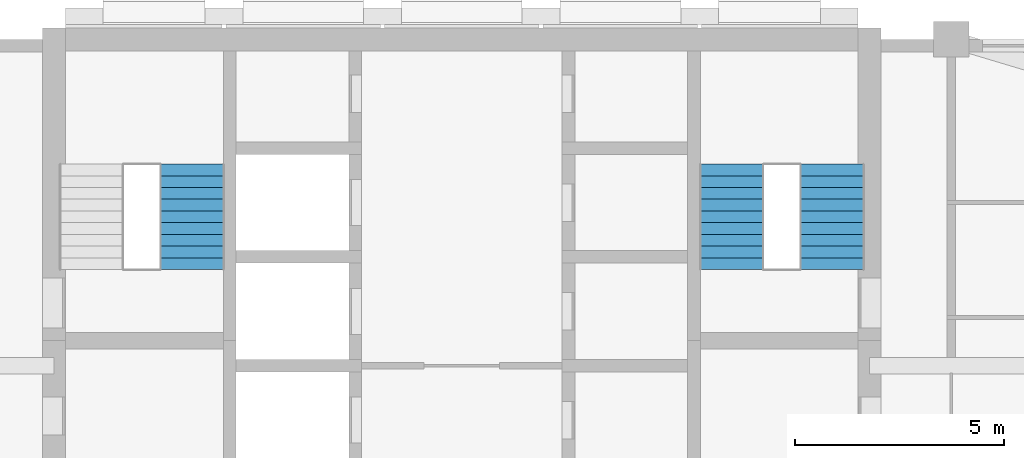
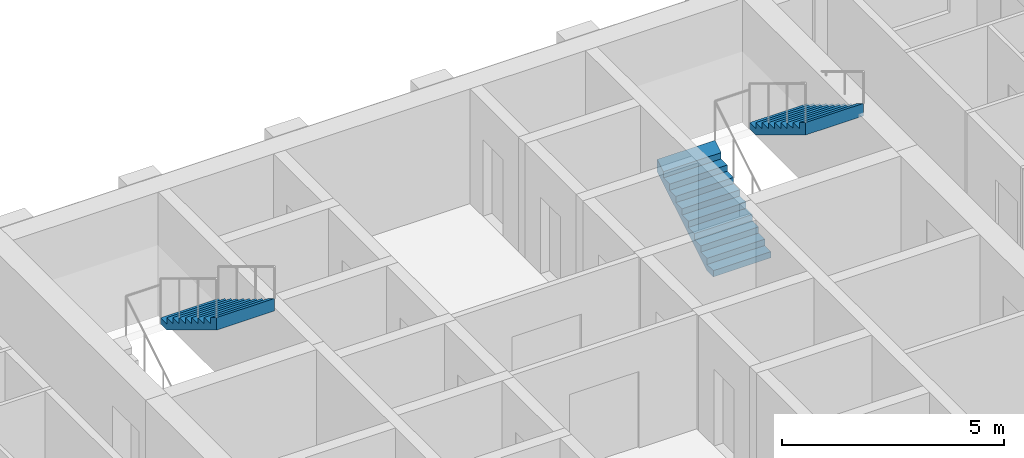
# One storey, part 12 of 14: 3 stair flights, 2 elements without a shape of their own.
"""IFC4 building model written with IfcOpenShell, lengths in metres."""

from ifc_helpers import new_model, si_unit, direction, frame, origin, place, context, subcontext, project, spatial, triangles, material, type_object, element, aggregate, save


model = new_model("IFC4")

# Units and contexts
model_context = context("Model", 3, precision=1e-05, world=origin(), true_north=direction((0.0, 1.0)))
body_context = subcontext(model_context, "Body", "Model", "MODEL_VIEW")
ifc_project = project(units=[si_unit("LENGTHUNIT", "METRE"), si_unit("AREAUNIT", "SQUARE_METRE"), si_unit("VOLUMEUNIT", "CUBIC_METRE"), si_unit("PLANEANGLEUNIT", "RADIAN"), si_unit("MASSUNIT", "GRAM", prefix="KILO")], contexts=[model_context])

# Site, building, storey
site_placement = place(None, origin())
site = spatial("IfcSite", under=ifc_project, at=site_placement, CompositionType="ELEMENT")
building_placement = place(site_placement, origin())
building = spatial("IfcBuilding", under=site, at=building_placement, Name="Ludao Terraces", CompositionType="ELEMENT")
storey_placement = place(building_placement, frame((0.0, 0.0, 106.699951171875)))
storey = spatial("IfcBuildingStorey", under=building, at=storey_placement, Name="L29", CompositionType="ELEMENT", Elevation=106.699951171875)

# Stair, stair flight
ifc_material = material(Name="Concrete C40", Category="concrete")
stair_type = type_object("IfcStairType", Name="INT Stair", PredefinedType="HALF_TURN_STAIR", material=ifc_material)
stair_1_placement = place(storey_placement, origin())
stair_1 = element("IfcStair", 1, at=stair_1_placement, inside=storey, type_object=stair_type, Name="EXIT STAIR 1", PredefinedType="HALF_TURN_STAIR")
stair_flight_type = type_object("IfcStairFlightType", Name="INT Stair flight", PredefinedType="STRAIGHT", material=ifc_material)
stair_flight_1_placement = place(storey_placement, frame((78.550048828125, 81.52001953125, 1.699951171875), z_axis=(0.0, 0.0, 1.0), x_axis=(0.0, -1.0, 0.0)))
stair_flight_1 = element("IfcStairFlight", 2, at=stair_flight_1_placement, type_object=stair_flight_type, Name="ST1 flight 2", NumberOfRisers=10, NumberOfTreads=9, PredefinedType="STRAIGHT", RiserHeight=0.17, TreadLength=0.28, context=body_context, shape_type="Tessellation", body=[
    triangles([(0.0, -0.75, 0.0), (0.0, -0.5, 0.0), (0.0, -0.25, 0.0), (0.0, 0.0, 0.0), (0.0, 0.25, 0.0), (0.0, 0.5, 0.0), (0.0, 0.75, 0.0), (0.0, -0.75, 0.169921875), (0.0, -0.5, 0.169921875), (0.0, -0.25, 0.169921875), (0.0, 0.0, 0.169921875), (0.0, 0.25, 0.169921875), (0.0, 0.5, 0.169921875), (0.0, 0.75, 0.169921875), (0.280029296875, -0.75, 0.169921875), (0.280029296875, -0.5, 0.169921875), (0.280029296875, -0.25, 0.169921875), (0.280029296875, 0.0, 0.169921875), (0.280029296875, 0.25, 0.169921875), (0.280029296875, 0.5, 0.169921875), (0.280029296875, 0.75, 0.169921875), (0.280029296875, -0.75, 0.340087890625), (0.280029296875, -0.5, 0.340087890625), (0.280029296875, -0.25, 0.340087890625), (0.280029296875, 0.0, 0.340087890625), (0.280029296875, 0.25, 0.340087890625), (0.280029296875, 0.5, 0.340087890625), (0.280029296875, 0.75, 0.340087890625), (0.56005859375, -0.75, 0.340087890625), (0.56005859375, -0.5, 0.340087890625), (0.56005859375, -0.25, 0.340087890625), (0.56005859375, 0.0, 0.340087890625), (0.56005859375, 0.25, 0.340087890625), (0.56005859375, 0.5, 0.340087890625), (0.56005859375, 0.75, 0.340087890625), (0.56005859375, -0.75, 0.510009765625), (0.56005859375, -0.5, 0.510009765625), (0.56005859375, -0.25, 0.510009765625), (0.56005859375, 0.0, 0.510009765625), (0.56005859375, 0.25, 0.510009765625), (0.56005859375, 0.5, 0.510009765625), (0.56005859375, 0.75, 0.510009765625), (0.840087890625, -0.75, 0.510009765625), (0.840087890625, -0.5, 0.510009765625), (0.840087890625, -0.25, 0.510009765625), (0.840087890625, 0.0, 0.510009765625), (0.840087890625, 0.25, 0.510009765625), (0.840087890625, 0.5, 0.510009765625), (0.840087890625, 0.75, 0.510009765625), (0.840087890625, -0.75, 0.679931640625), (0.840087890625, -0.5, 0.679931640625), (0.840087890625, -0.25, 0.679931640625), (0.840087890625, 0.0, 0.679931640625), (0.840087890625, 0.25, 0.679931640625), (0.840087890625, 0.5, 0.679931640625), (0.840087890625, 0.75, 0.679931640625), (1.1201171875, -0.75, 0.679931640625), (1.1201171875, -0.5, 0.679931640625), (1.1201171875, -0.25, 0.679931640625), (1.1201171875, 0.0, 0.679931640625), (1.1201171875, 0.25, 0.679931640625), (1.1201171875, 0.5, 0.679931640625), (1.1201171875, 0.75, 0.679931640625), (1.1201171875, -0.75, 0.85009765625), (1.1201171875, -0.5, 0.85009765625), (1.1201171875, -0.25, 0.85009765625), (1.1201171875, 0.0, 0.85009765625), (1.1201171875, 0.25, 0.85009765625), (1.1201171875, 0.5, 0.85009765625), (1.1201171875, 0.75, 0.85009765625), (1.39990234375, -0.75, 0.85009765625), (1.39990234375, -0.5, 0.85009765625), (1.39990234375, -0.25, 0.85009765625), (1.39990234375, 0.0, 0.85009765625), (1.39990234375, 0.25, 0.85009765625), (1.39990234375, 0.5, 0.85009765625), (1.39990234375, 0.75, 0.85009765625), (1.39990234375, -0.75, 1.02001953125), (1.39990234375, -0.5, 1.02001953125), (1.39990234375, -0.25, 1.02001953125), (1.39990234375, 0.0, 1.02001953125), (1.39990234375, 0.25, 1.02001953125), (1.39990234375, 0.5, 1.02001953125), (1.39990234375, 0.75, 1.02001953125), (1.679931640625, -0.75, 1.02001953125), (1.679931640625, -0.5, 1.02001953125), (1.679931640625, -0.25, 1.02001953125), (1.679931640625, 0.0, 1.02001953125), (1.679931640625, 0.25, 1.02001953125), (1.679931640625, 0.5, 1.02001953125), (1.679931640625, 0.75, 1.02001953125), (1.679931640625, -0.75, 1.18994140625), (1.679931640625, -0.5, 1.18994140625), (1.679931640625, -0.25, 1.18994140625), (1.679931640625, 0.0, 1.18994140625), (1.679931640625, 0.25, 1.18994140625), (1.679931640625, 0.5, 1.18994140625), (1.679931640625, 0.75, 1.18994140625), (1.9599609375, -0.75, 1.18994140625), (1.9599609375, -0.5, 1.18994140625), (1.9599609375, -0.25, 1.18994140625), (1.9599609375, 0.0, 1.18994140625), (1.9599609375, 0.25, 1.18994140625), (1.9599609375, 0.5, 1.18994140625), (1.9599609375, 0.75, 1.18994140625), (1.9599609375, -0.75, 1.360107421875), (1.9599609375, -0.5, 1.360107421875), (1.9599609375, -0.25, 1.360107421875), (1.9599609375, 0.0, 1.360107421875), (1.9599609375, 0.25, 1.360107421875), (1.9599609375, 0.5, 1.360107421875), (1.9599609375, 0.75, 1.360107421875), (2.239990234375, -0.75, 1.360107421875), (2.239990234375, -0.5, 1.360107421875), (2.239990234375, -0.25, 1.360107421875), (2.239990234375, 0.0, 1.360107421875), (2.239990234375, 0.25, 1.360107421875), (2.239990234375, 0.5, 1.360107421875), (2.239990234375, 0.75, 1.360107421875), (2.239990234375, -0.75, 1.530029296875), (2.239990234375, -0.5, 1.530029296875), (2.239990234375, -0.25, 1.530029296875), (2.239990234375, 0.0, 1.530029296875), (2.239990234375, 0.25, 1.530029296875), (2.239990234375, 0.5, 1.530029296875), (2.239990234375, 0.75, 1.530029296875), (2.52001953125, -0.75, 1.699951171875), (2.52001953125, -0.5, 1.699951171875), (2.52001953125, -0.25, 1.699951171875), (2.52001953125, 0.0, 1.699951171875), (2.52001953125, 0.25, 1.699951171875), (2.52001953125, 0.5, 1.699951171875), (2.52001953125, 0.75, 1.699951171875), (2.52001953125, -0.75, 1.354736328125), (2.52001953125, -0.5, 1.354736328125), (2.52001953125, -0.25, 1.354736328125), (2.52001953125, 0.0, 1.354736328125), (2.52001953125, 0.25, 1.354736328125), (2.52001953125, 0.5, 1.354736328125), (2.52001953125, 0.75, 1.354736328125), (0.288818359375, -0.75, 0.0), (0.288818359375, -0.5, 0.0), (0.288818359375, -0.25, 0.0), (0.288818359375, 0.0, 0.0), (0.288818359375, 0.25, 0.0), (0.288818359375, 0.5, 0.0), (0.288818359375, 0.75, 0.0)], [[1, 141, 134], [7, 140, 147], [134, 127, 120], [140, 126, 133], [134, 120, 113], [140, 119, 126], [134, 113, 106], [140, 112, 119], [134, 106, 99], [140, 105, 112], [99, 92, 85], [105, 91, 98], [134, 99, 85], [140, 91, 105], [85, 78, 71], [91, 77, 84], [134, 85, 71], [140, 77, 91], [71, 64, 57], [77, 63, 70], [134, 71, 57], [140, 63, 77], [57, 50, 43], [63, 49, 56], [134, 57, 43], [140, 49, 63], [43, 36, 29], [49, 35, 42], [134, 43, 29], [140, 35, 49], [29, 22, 15], [35, 21, 28], [134, 29, 15], [140, 21, 35], [1, 134, 15], [7, 21, 140], [15, 8, 1], [21, 7, 14], [1, 9, 2], [1, 8, 9], [2, 10, 3], [2, 9, 10], [3, 11, 4], [3, 10, 11], [4, 12, 5], [4, 11, 12], [5, 13, 6], [5, 12, 13], [6, 14, 7], [6, 13, 14], [8, 16, 9], [8, 15, 16], [9, 17, 10], [9, 16, 17], [10, 18, 11], [10, 17, 18], [11, 19, 12], [11, 18, 19], [12, 20, 13], [12, 19, 20], [13, 21, 14], [13, 20, 21], [15, 23, 16], [15, 22, 23], [16, 24, 17], [16, 23, 24], [17, 25, 18], [17, 24, 25], [18, 26, 19], [18, 25, 26], [19, 27, 20], [19, 26, 27], [20, 28, 21], [20, 27, 28], [22, 30, 23], [22, 29, 30], [23, 31, 24], [23, 30, 31], [24, 32, 25], [24, 31, 32], [25, 33, 26], [25, 32, 33], [26, 34, 27], [26, 33, 34], [27, 35, 28], [27, 34, 35], [29, 37, 30], [29, 36, 37], [30, 38, 31], [30, 37, 38], [31, 39, 32], [31, 38, 39], [32, 40, 33], [32, 39, 40], [33, 41, 34], [33, 40, 41], [34, 42, 35], [34, 41, 42], [36, 44, 37], [36, 43, 44], [37, 45, 38], [37, 44, 45], [38, 46, 39], [38, 45, 46], [39, 47, 40], [39, 46, 47], [40, 48, 41], [40, 47, 48], [41, 49, 42], [41, 48, 49], [43, 51, 44], [43, 50, 51], [44, 52, 45], [44, 51, 52], [45, 53, 46], [45, 52, 53], [46, 54, 47], [46, 53, 54], [47, 55, 48], [47, 54, 55], [48, 56, 49], [48, 55, 56], [50, 58, 51], [50, 57, 58], [51, 59, 52], [51, 58, 59], [52, 60, 53], [52, 59, 60], [53, 61, 54], [53, 60, 61], [54, 62, 55], [54, 61, 62], [55, 63, 56], [55, 62, 63], [57, 65, 58], [57, 64, 65], [58, 66, 59], [58, 65, 66], [59, 67, 60], [59, 66, 67], [60, 68, 61], [60, 67, 68], [61, 69, 62], [61, 68, 69], [62, 70, 63], [62, 69, 70], [64, 72, 65], [64, 71, 72], [65, 73, 66], [65, 72, 73], [66, 74, 67], [66, 73, 74], [67, 75, 68], [67, 74, 75], [68, 76, 69], [68, 75, 76], [69, 77, 70], [69, 76, 77], [71, 79, 72], [71, 78, 79], [72, 80, 73], [72, 79, 80], [73, 81, 74], [73, 80, 81], [74, 82, 75], [74, 81, 82], [75, 83, 76], [75, 82, 83], [76, 84, 77], [76, 83, 84], [78, 86, 79], [78, 85, 86], [79, 87, 80], [79, 86, 87], [80, 88, 81], [80, 87, 88], [81, 89, 82], [81, 88, 89], [82, 90, 83], [82, 89, 90], [83, 91, 84], [83, 90, 91], [85, 93, 86], [85, 92, 93], [86, 94, 87], [86, 93, 94], [87, 95, 88], [87, 94, 95], [88, 96, 89], [88, 95, 96], [89, 97, 90], [89, 96, 97], [90, 98, 91], [90, 97, 98], [92, 100, 93], [92, 99, 100], [93, 101, 94], [93, 100, 101], [94, 102, 95], [94, 101, 102], [95, 103, 96], [95, 102, 103], [96, 104, 97], [96, 103, 104], [97, 105, 98], [97, 104, 105], [99, 107, 100], [99, 106, 107], [100, 108, 101], [100, 107, 108], [101, 109, 102], [101, 108, 109], [102, 110, 103], [102, 109, 110], [103, 111, 104], [103, 110, 111], [104, 112, 105], [104, 111, 112], [106, 114, 107], [106, 113, 114], [107, 115, 108], [107, 114, 115], [108, 116, 109], [108, 115, 116], [109, 117, 110], [109, 116, 117], [110, 118, 111], [110, 117, 118], [111, 119, 112], [111, 118, 119], [113, 121, 114], [113, 120, 121], [114, 122, 115], [114, 121, 122], [115, 123, 116], [115, 122, 123], [116, 124, 117], [116, 123, 124], [117, 125, 118], [117, 124, 125], [118, 126, 119], [118, 125, 126], [120, 128, 121], [120, 127, 128], [121, 129, 122], [121, 128, 129], [122, 130, 123], [122, 129, 130], [123, 131, 124], [123, 130, 131], [124, 132, 125], [124, 131, 132], [125, 133, 126], [125, 132, 133], [127, 135, 128], [127, 134, 135], [128, 136, 129], [128, 135, 136], [129, 137, 130], [129, 136, 137], [130, 138, 131], [130, 137, 138], [131, 139, 132], [131, 138, 139], [132, 140, 133], [132, 139, 140], [134, 142, 135], [134, 141, 142], [135, 143, 136], [135, 142, 143], [136, 144, 137], [136, 143, 144], [137, 145, 138], [137, 144, 145], [138, 146, 139], [138, 145, 146], [139, 147, 140], [139, 146, 147], [141, 2, 142], [141, 1, 2], [142, 3, 143], [142, 2, 3], [143, 4, 144], [143, 3, 4], [144, 5, 145], [144, 4, 5], [145, 6, 146], [145, 5, 6], [146, 7, 147], [146, 6, 7]], closed=True),
])
aggregate(stair_1, [stair_flight_1])

# Stair, stair flights
stair_2_placement = place(storey_placement, origin())
stair_2 = element("IfcStair", 3, at=stair_2_placement, inside=storey, type_object=stair_type, Name="EXIT STAIR 2", PredefinedType="HALF_TURN_STAIR")
stair_flight_2_placement = place(storey_placement, frame((91.449951171875, 79.0, 0.0), z_axis=(0.0, 0.0, 1.0), x_axis=(0.0, 1.0, 0.0)))
stair_flight_2 = element("IfcStairFlight", 4, at=stair_flight_2_placement, type_object=stair_flight_type, Name="ST2 flight 1", NumberOfRisers=10, NumberOfTreads=9, PredefinedType="STRAIGHT", RiserHeight=0.17, TreadLength=0.28, context=body_context, shape_type="Tessellation", body=[
    triangles([(0.0, -0.75, 0.0), (0.0, -0.5, 0.0), (0.0, -0.25, 0.0), (0.0, 0.0, 0.0), (0.0, 0.25, 0.0), (0.0, 0.5, 0.0), (0.0, 0.75, 0.0), (0.0, -0.75, 0.169921875), (0.0, -0.5, 0.169921875), (0.0, -0.25, 0.169921875), (0.0, 0.0, 0.169921875), (0.0, 0.25, 0.169921875), (0.0, 0.5, 0.169921875), (0.0, 0.75, 0.169921875), (0.280029296875, -0.75, 0.169921875), (0.280029296875, -0.5, 0.169921875), (0.280029296875, -0.25, 0.169921875), (0.280029296875, 0.0, 0.169921875), (0.280029296875, 0.25, 0.169921875), (0.280029296875, 0.5, 0.169921875), (0.280029296875, 0.75, 0.169921875), (0.280029296875, -0.75, 0.340087890625), (0.280029296875, -0.5, 0.340087890625), (0.280029296875, -0.25, 0.340087890625), (0.280029296875, 0.0, 0.340087890625), (0.280029296875, 0.25, 0.340087890625), (0.280029296875, 0.5, 0.340087890625), (0.280029296875, 0.75, 0.340087890625), (0.56005859375, -0.75, 0.340087890625), (0.56005859375, -0.5, 0.340087890625), (0.56005859375, -0.25, 0.340087890625), (0.56005859375, 0.0, 0.340087890625), (0.56005859375, 0.25, 0.340087890625), (0.56005859375, 0.5, 0.340087890625), (0.56005859375, 0.75, 0.340087890625), (0.56005859375, -0.75, 0.510009765625), (0.56005859375, -0.5, 0.510009765625), (0.56005859375, -0.25, 0.510009765625), (0.56005859375, 0.0, 0.510009765625), (0.56005859375, 0.25, 0.510009765625), (0.56005859375, 0.5, 0.510009765625), (0.56005859375, 0.75, 0.510009765625), (0.840087890625, -0.75, 0.510009765625), (0.840087890625, -0.5, 0.510009765625), (0.840087890625, -0.25, 0.510009765625), (0.840087890625, 0.0, 0.510009765625), (0.840087890625, 0.25, 0.510009765625), (0.840087890625, 0.5, 0.510009765625), (0.840087890625, 0.75, 0.510009765625), (0.840087890625, -0.75, 0.679931640625), (0.840087890625, -0.5, 0.679931640625), (0.840087890625, -0.25, 0.679931640625), (0.840087890625, 0.0, 0.679931640625), (0.840087890625, 0.25, 0.679931640625), (0.840087890625, 0.5, 0.679931640625), (0.840087890625, 0.75, 0.679931640625), (1.1201171875, -0.75, 0.679931640625), (1.1201171875, -0.5, 0.679931640625), (1.1201171875, -0.25, 0.679931640625), (1.1201171875, 0.0, 0.679931640625), (1.1201171875, 0.25, 0.679931640625), (1.1201171875, 0.5, 0.679931640625), (1.1201171875, 0.75, 0.679931640625), (1.1201171875, -0.75, 0.85009765625), (1.1201171875, -0.5, 0.85009765625), (1.1201171875, -0.25, 0.85009765625), (1.1201171875, 0.0, 0.85009765625), (1.1201171875, 0.25, 0.85009765625), (1.1201171875, 0.5, 0.85009765625), (1.1201171875, 0.75, 0.85009765625), (1.39990234375, -0.75, 0.85009765625), (1.39990234375, -0.5, 0.85009765625), (1.39990234375, -0.25, 0.85009765625), (1.39990234375, 0.0, 0.85009765625), (1.39990234375, 0.25, 0.85009765625), (1.39990234375, 0.5, 0.85009765625), (1.39990234375, 0.75, 0.85009765625), (1.39990234375, -0.75, 1.02001953125), (1.39990234375, -0.5, 1.02001953125), (1.39990234375, -0.25, 1.02001953125), (1.39990234375, 0.0, 1.02001953125), (1.39990234375, 0.25, 1.02001953125), (1.39990234375, 0.5, 1.02001953125), (1.39990234375, 0.75, 1.02001953125), (1.679931640625, -0.75, 1.02001953125), (1.679931640625, -0.5, 1.02001953125), (1.679931640625, -0.25, 1.02001953125), (1.679931640625, 0.0, 1.02001953125), (1.679931640625, 0.25, 1.02001953125), (1.679931640625, 0.5, 1.02001953125), (1.679931640625, 0.75, 1.02001953125), (1.679931640625, -0.75, 1.18994140625), (1.679931640625, -0.5, 1.18994140625), (1.679931640625, -0.25, 1.18994140625), (1.679931640625, 0.0, 1.18994140625), (1.679931640625, 0.25, 1.18994140625), (1.679931640625, 0.5, 1.18994140625), (1.679931640625, 0.75, 1.18994140625), (1.9599609375, -0.75, 1.18994140625), (1.9599609375, -0.5, 1.18994140625), (1.9599609375, -0.25, 1.18994140625), (1.9599609375, 0.0, 1.18994140625), (1.9599609375, 0.25, 1.18994140625), (1.9599609375, 0.5, 1.18994140625), (1.9599609375, 0.75, 1.18994140625), (1.9599609375, -0.75, 1.360107421875), (1.9599609375, -0.5, 1.360107421875), (1.9599609375, -0.25, 1.360107421875), (1.9599609375, 0.0, 1.360107421875), (1.9599609375, 0.25, 1.360107421875), (1.9599609375, 0.5, 1.360107421875), (1.9599609375, 0.75, 1.360107421875), (2.239990234375, -0.75, 1.360107421875), (2.239990234375, -0.5, 1.360107421875), (2.239990234375, -0.25, 1.360107421875), (2.239990234375, 0.0, 1.360107421875), (2.239990234375, 0.25, 1.360107421875), (2.239990234375, 0.5, 1.360107421875), (2.239990234375, 0.75, 1.360107421875), (2.239990234375, -0.75, 1.530029296875), (2.239990234375, -0.5, 1.530029296875), (2.239990234375, -0.25, 1.530029296875), (2.239990234375, 0.0, 1.530029296875), (2.239990234375, 0.25, 1.530029296875), (2.239990234375, 0.5, 1.530029296875), (2.239990234375, 0.75, 1.530029296875), (2.52001953125, -0.75, 1.699951171875), (2.52001953125, -0.5, 1.699951171875), (2.52001953125, -0.25, 1.699951171875), (2.52001953125, 0.0, 1.699951171875), (2.52001953125, 0.25, 1.699951171875), (2.52001953125, 0.5, 1.699951171875), (2.52001953125, 0.75, 1.699951171875), (2.52001953125, -0.75, 1.354736328125), (2.52001953125, -0.5, 1.354736328125), (2.52001953125, -0.25, 1.354736328125), (2.52001953125, 0.0, 1.354736328125), (2.52001953125, 0.25, 1.354736328125), (2.52001953125, 0.5, 1.354736328125), (2.52001953125, 0.75, 1.354736328125), (0.288818359375, -0.75, 0.0), (0.288818359375, -0.5, 0.0), (0.288818359375, -0.25, 0.0), (0.288818359375, 0.0, 0.0), (0.288818359375, 0.25, 0.0), (0.288818359375, 0.5, 0.0), (0.288818359375, 0.75, 0.0)], [[1, 141, 134], [7, 140, 147], [134, 127, 120], [140, 126, 133], [134, 120, 113], [140, 119, 126], [134, 113, 106], [140, 112, 119], [134, 106, 99], [140, 105, 112], [99, 92, 85], [105, 91, 98], [134, 99, 85], [140, 91, 105], [85, 78, 71], [91, 77, 84], [134, 85, 71], [140, 77, 91], [71, 64, 57], [77, 63, 70], [134, 71, 57], [140, 63, 77], [57, 50, 43], [63, 49, 56], [134, 57, 43], [140, 49, 63], [43, 36, 29], [49, 35, 42], [134, 43, 29], [140, 35, 49], [29, 22, 15], [35, 21, 28], [134, 29, 15], [140, 21, 35], [1, 134, 15], [7, 21, 140], [15, 8, 1], [21, 7, 14], [1, 9, 2], [1, 8, 9], [2, 10, 3], [2, 9, 10], [3, 11, 4], [3, 10, 11], [4, 12, 5], [4, 11, 12], [5, 13, 6], [5, 12, 13], [6, 14, 7], [6, 13, 14], [8, 16, 9], [8, 15, 16], [9, 17, 10], [9, 16, 17], [10, 18, 11], [10, 17, 18], [11, 19, 12], [11, 18, 19], [12, 20, 13], [12, 19, 20], [13, 21, 14], [13, 20, 21], [15, 23, 16], [15, 22, 23], [16, 24, 17], [16, 23, 24], [17, 25, 18], [17, 24, 25], [18, 26, 19], [18, 25, 26], [19, 27, 20], [19, 26, 27], [20, 28, 21], [20, 27, 28], [22, 30, 23], [22, 29, 30], [23, 31, 24], [23, 30, 31], [24, 32, 25], [24, 31, 32], [25, 33, 26], [25, 32, 33], [26, 34, 27], [26, 33, 34], [27, 35, 28], [27, 34, 35], [29, 37, 30], [29, 36, 37], [30, 38, 31], [30, 37, 38], [31, 39, 32], [31, 38, 39], [32, 40, 33], [32, 39, 40], [33, 41, 34], [33, 40, 41], [34, 42, 35], [34, 41, 42], [36, 44, 37], [36, 43, 44], [37, 45, 38], [37, 44, 45], [38, 46, 39], [38, 45, 46], [39, 47, 40], [39, 46, 47], [40, 48, 41], [40, 47, 48], [41, 49, 42], [41, 48, 49], [43, 51, 44], [43, 50, 51], [44, 52, 45], [44, 51, 52], [45, 53, 46], [45, 52, 53], [46, 54, 47], [46, 53, 54], [47, 55, 48], [47, 54, 55], [48, 56, 49], [48, 55, 56], [50, 58, 51], [50, 57, 58], [51, 59, 52], [51, 58, 59], [52, 60, 53], [52, 59, 60], [53, 61, 54], [53, 60, 61], [54, 62, 55], [54, 61, 62], [55, 63, 56], [55, 62, 63], [57, 65, 58], [57, 64, 65], [58, 66, 59], [58, 65, 66], [59, 67, 60], [59, 66, 67], [60, 68, 61], [60, 67, 68], [61, 69, 62], [61, 68, 69], [62, 70, 63], [62, 69, 70], [64, 72, 65], [64, 71, 72], [65, 73, 66], [65, 72, 73], [66, 74, 67], [66, 73, 74], [67, 75, 68], [67, 74, 75], [68, 76, 69], [68, 75, 76], [69, 77, 70], [69, 76, 77], [71, 79, 72], [71, 78, 79], [72, 80, 73], [72, 79, 80], [73, 81, 74], [73, 80, 81], [74, 82, 75], [74, 81, 82], [75, 83, 76], [75, 82, 83], [76, 84, 77], [76, 83, 84], [78, 86, 79], [78, 85, 86], [79, 87, 80], [79, 86, 87], [80, 88, 81], [80, 87, 88], [81, 89, 82], [81, 88, 89], [82, 90, 83], [82, 89, 90], [83, 91, 84], [83, 90, 91], [85, 93, 86], [85, 92, 93], [86, 94, 87], [86, 93, 94], [87, 95, 88], [87, 94, 95], [88, 96, 89], [88, 95, 96], [89, 97, 90], [89, 96, 97], [90, 98, 91], [90, 97, 98], [92, 100, 93], [92, 99, 100], [93, 101, 94], [93, 100, 101], [94, 102, 95], [94, 101, 102], [95, 103, 96], [95, 102, 103], [96, 104, 97], [96, 103, 104], [97, 105, 98], [97, 104, 105], [99, 107, 100], [99, 106, 107], [100, 108, 101], [100, 107, 108], [101, 109, 102], [101, 108, 109], [102, 110, 103], [102, 109, 110], [103, 111, 104], [103, 110, 111], [104, 112, 105], [104, 111, 112], [106, 114, 107], [106, 113, 114], [107, 115, 108], [107, 114, 115], [108, 116, 109], [108, 115, 116], [109, 117, 110], [109, 116, 117], [110, 118, 111], [110, 117, 118], [111, 119, 112], [111, 118, 119], [113, 121, 114], [113, 120, 121], [114, 122, 115], [114, 121, 122], [115, 123, 116], [115, 122, 123], [116, 124, 117], [116, 123, 124], [117, 125, 118], [117, 124, 125], [118, 126, 119], [118, 125, 126], [120, 128, 121], [120, 127, 128], [121, 129, 122], [121, 128, 129], [122, 130, 123], [122, 129, 130], [123, 131, 124], [123, 130, 131], [124, 132, 125], [124, 131, 132], [125, 133, 126], [125, 132, 133], [127, 135, 128], [127, 134, 135], [128, 136, 129], [128, 135, 136], [129, 137, 130], [129, 136, 137], [130, 138, 131], [130, 137, 138], [131, 139, 132], [131, 138, 139], [132, 140, 133], [132, 139, 140], [134, 142, 135], [134, 141, 142], [135, 143, 136], [135, 142, 143], [136, 144, 137], [136, 143, 144], [137, 145, 138], [137, 144, 145], [138, 146, 139], [138, 145, 146], [139, 147, 140], [139, 146, 147], [141, 2, 142], [141, 1, 2], [142, 3, 143], [142, 2, 3], [143, 4, 144], [143, 3, 4], [144, 5, 145], [144, 4, 5], [145, 6, 146], [145, 5, 6], [146, 7, 147], [146, 6, 7]], closed=True),
])
stair_flight_3_placement = place(storey_placement, frame((93.85009765625, 81.52001953125, 1.699951171875), z_axis=(0.0, 0.0, 1.0), x_axis=(0.0, -1.0, 0.0)))
stair_flight_3 = element("IfcStairFlight", 5, at=stair_flight_3_placement, type_object=stair_flight_type, Name="ST2 flight 2", NumberOfRisers=10, NumberOfTreads=9, PredefinedType="STRAIGHT", RiserHeight=0.17, TreadLength=0.28, context=body_context, shape_type="Tessellation", body=[
    triangles([(0.0, -0.75, 0.0), (0.0, -0.5, 0.0), (0.0, -0.25, 0.0), (0.0, 0.0, 0.0), (0.0, 0.25, 0.0), (0.0, 0.5, 0.0), (0.0, 0.75, 0.0), (0.0, -0.75, 0.169921875), (0.0, -0.5, 0.169921875), (0.0, -0.25, 0.169921875), (0.0, 0.0, 0.169921875), (0.0, 0.25, 0.169921875), (0.0, 0.5, 0.169921875), (0.0, 0.75, 0.169921875), (0.280029296875, -0.75, 0.169921875), (0.280029296875, -0.5, 0.169921875), (0.280029296875, -0.25, 0.169921875), (0.280029296875, 0.0, 0.169921875), (0.280029296875, 0.25, 0.169921875), (0.280029296875, 0.5, 0.169921875), (0.280029296875, 0.75, 0.169921875), (0.280029296875, -0.75, 0.340087890625), (0.280029296875, -0.5, 0.340087890625), (0.280029296875, -0.25, 0.340087890625), (0.280029296875, 0.0, 0.340087890625), (0.280029296875, 0.25, 0.340087890625), (0.280029296875, 0.5, 0.340087890625), (0.280029296875, 0.75, 0.340087890625), (0.56005859375, -0.75, 0.340087890625), (0.56005859375, -0.5, 0.340087890625), (0.56005859375, -0.25, 0.340087890625), (0.56005859375, 0.0, 0.340087890625), (0.56005859375, 0.25, 0.340087890625), (0.56005859375, 0.5, 0.340087890625), (0.56005859375, 0.75, 0.340087890625), (0.56005859375, -0.75, 0.510009765625), (0.56005859375, -0.5, 0.510009765625), (0.56005859375, -0.25, 0.510009765625), (0.56005859375, 0.0, 0.510009765625), (0.56005859375, 0.25, 0.510009765625), (0.56005859375, 0.5, 0.510009765625), (0.56005859375, 0.75, 0.510009765625), (0.840087890625, -0.75, 0.510009765625), (0.840087890625, -0.5, 0.510009765625), (0.840087890625, -0.25, 0.510009765625), (0.840087890625, 0.0, 0.510009765625), (0.840087890625, 0.25, 0.510009765625), (0.840087890625, 0.5, 0.510009765625), (0.840087890625, 0.75, 0.510009765625), (0.840087890625, -0.75, 0.679931640625), (0.840087890625, -0.5, 0.679931640625), (0.840087890625, -0.25, 0.679931640625), (0.840087890625, 0.0, 0.679931640625), (0.840087890625, 0.25, 0.679931640625), (0.840087890625, 0.5, 0.679931640625), (0.840087890625, 0.75, 0.679931640625), (1.1201171875, -0.75, 0.679931640625), (1.1201171875, -0.5, 0.679931640625), (1.1201171875, -0.25, 0.679931640625), (1.1201171875, 0.0, 0.679931640625), (1.1201171875, 0.25, 0.679931640625), (1.1201171875, 0.5, 0.679931640625), (1.1201171875, 0.75, 0.679931640625), (1.1201171875, -0.75, 0.85009765625), (1.1201171875, -0.5, 0.85009765625), (1.1201171875, -0.25, 0.85009765625), (1.1201171875, 0.0, 0.85009765625), (1.1201171875, 0.25, 0.85009765625), (1.1201171875, 0.5, 0.85009765625), (1.1201171875, 0.75, 0.85009765625), (1.39990234375, -0.75, 0.85009765625), (1.39990234375, -0.5, 0.85009765625), (1.39990234375, -0.25, 0.85009765625), (1.39990234375, 0.0, 0.85009765625), (1.39990234375, 0.25, 0.85009765625), (1.39990234375, 0.5, 0.85009765625), (1.39990234375, 0.75, 0.85009765625), (1.39990234375, -0.75, 1.02001953125), (1.39990234375, -0.5, 1.02001953125), (1.39990234375, -0.25, 1.02001953125), (1.39990234375, 0.0, 1.02001953125), (1.39990234375, 0.25, 1.02001953125), (1.39990234375, 0.5, 1.02001953125), (1.39990234375, 0.75, 1.02001953125), (1.679931640625, -0.75, 1.02001953125), (1.679931640625, -0.5, 1.02001953125), (1.679931640625, -0.25, 1.02001953125), (1.679931640625, 0.0, 1.02001953125), (1.679931640625, 0.25, 1.02001953125), (1.679931640625, 0.5, 1.02001953125), (1.679931640625, 0.75, 1.02001953125), (1.679931640625, -0.75, 1.18994140625), (1.679931640625, -0.5, 1.18994140625), (1.679931640625, -0.25, 1.18994140625), (1.679931640625, 0.0, 1.18994140625), (1.679931640625, 0.25, 1.18994140625), (1.679931640625, 0.5, 1.18994140625), (1.679931640625, 0.75, 1.18994140625), (1.9599609375, -0.75, 1.18994140625), (1.9599609375, -0.5, 1.18994140625), (1.9599609375, -0.25, 1.18994140625), (1.9599609375, 0.0, 1.18994140625), (1.9599609375, 0.25, 1.18994140625), (1.9599609375, 0.5, 1.18994140625), (1.9599609375, 0.75, 1.18994140625), (1.9599609375, -0.75, 1.360107421875), (1.9599609375, -0.5, 1.360107421875), (1.9599609375, -0.25, 1.360107421875), (1.9599609375, 0.0, 1.360107421875), (1.9599609375, 0.25, 1.360107421875), (1.9599609375, 0.5, 1.360107421875), (1.9599609375, 0.75, 1.360107421875), (2.239990234375, -0.75, 1.360107421875), (2.239990234375, -0.5, 1.360107421875), (2.239990234375, -0.25, 1.360107421875), (2.239990234375, 0.0, 1.360107421875), (2.239990234375, 0.25, 1.360107421875), (2.239990234375, 0.5, 1.360107421875), (2.239990234375, 0.75, 1.360107421875), (2.239990234375, -0.75, 1.530029296875), (2.239990234375, -0.5, 1.530029296875), (2.239990234375, -0.25, 1.530029296875), (2.239990234375, 0.0, 1.530029296875), (2.239990234375, 0.25, 1.530029296875), (2.239990234375, 0.5, 1.530029296875), (2.239990234375, 0.75, 1.530029296875), (2.52001953125, -0.75, 1.699951171875), (2.52001953125, -0.5, 1.699951171875), (2.52001953125, -0.25, 1.699951171875), (2.52001953125, 0.0, 1.699951171875), (2.52001953125, 0.25, 1.699951171875), (2.52001953125, 0.5, 1.699951171875), (2.52001953125, 0.75, 1.699951171875), (2.52001953125, -0.75, 1.354736328125), (2.52001953125, -0.5, 1.354736328125), (2.52001953125, -0.25, 1.354736328125), (2.52001953125, 0.0, 1.354736328125), (2.52001953125, 0.25, 1.354736328125), (2.52001953125, 0.5, 1.354736328125), (2.52001953125, 0.75, 1.354736328125), (0.288818359375, -0.75, 0.0), (0.288818359375, -0.5, 0.0), (0.288818359375, -0.25, 0.0), (0.288818359375, 0.0, 0.0), (0.288818359375, 0.25, 0.0), (0.288818359375, 0.5, 0.0), (0.288818359375, 0.75, 0.0)], [[1, 141, 134], [7, 140, 147], [134, 127, 120], [140, 126, 133], [134, 120, 113], [140, 119, 126], [134, 113, 106], [140, 112, 119], [134, 106, 99], [140, 105, 112], [99, 92, 85], [105, 91, 98], [134, 99, 85], [140, 91, 105], [85, 78, 71], [91, 77, 84], [134, 85, 71], [140, 77, 91], [71, 64, 57], [77, 63, 70], [134, 71, 57], [140, 63, 77], [57, 50, 43], [63, 49, 56], [134, 57, 43], [140, 49, 63], [43, 36, 29], [49, 35, 42], [134, 43, 29], [140, 35, 49], [29, 22, 15], [35, 21, 28], [134, 29, 15], [140, 21, 35], [1, 134, 15], [7, 21, 140], [15, 8, 1], [21, 7, 14], [1, 9, 2], [1, 8, 9], [2, 10, 3], [2, 9, 10], [3, 11, 4], [3, 10, 11], [4, 12, 5], [4, 11, 12], [5, 13, 6], [5, 12, 13], [6, 14, 7], [6, 13, 14], [8, 16, 9], [8, 15, 16], [9, 17, 10], [9, 16, 17], [10, 18, 11], [10, 17, 18], [11, 19, 12], [11, 18, 19], [12, 20, 13], [12, 19, 20], [13, 21, 14], [13, 20, 21], [15, 23, 16], [15, 22, 23], [16, 24, 17], [16, 23, 24], [17, 25, 18], [17, 24, 25], [18, 26, 19], [18, 25, 26], [19, 27, 20], [19, 26, 27], [20, 28, 21], [20, 27, 28], [22, 30, 23], [22, 29, 30], [23, 31, 24], [23, 30, 31], [24, 32, 25], [24, 31, 32], [25, 33, 26], [25, 32, 33], [26, 34, 27], [26, 33, 34], [27, 35, 28], [27, 34, 35], [29, 37, 30], [29, 36, 37], [30, 38, 31], [30, 37, 38], [31, 39, 32], [31, 38, 39], [32, 40, 33], [32, 39, 40], [33, 41, 34], [33, 40, 41], [34, 42, 35], [34, 41, 42], [36, 44, 37], [36, 43, 44], [37, 45, 38], [37, 44, 45], [38, 46, 39], [38, 45, 46], [39, 47, 40], [39, 46, 47], [40, 48, 41], [40, 47, 48], [41, 49, 42], [41, 48, 49], [43, 51, 44], [43, 50, 51], [44, 52, 45], [44, 51, 52], [45, 53, 46], [45, 52, 53], [46, 54, 47], [46, 53, 54], [47, 55, 48], [47, 54, 55], [48, 56, 49], [48, 55, 56], [50, 58, 51], [50, 57, 58], [51, 59, 52], [51, 58, 59], [52, 60, 53], [52, 59, 60], [53, 61, 54], [53, 60, 61], [54, 62, 55], [54, 61, 62], [55, 63, 56], [55, 62, 63], [57, 65, 58], [57, 64, 65], [58, 66, 59], [58, 65, 66], [59, 67, 60], [59, 66, 67], [60, 68, 61], [60, 67, 68], [61, 69, 62], [61, 68, 69], [62, 70, 63], [62, 69, 70], [64, 72, 65], [64, 71, 72], [65, 73, 66], [65, 72, 73], [66, 74, 67], [66, 73, 74], [67, 75, 68], [67, 74, 75], [68, 76, 69], [68, 75, 76], [69, 77, 70], [69, 76, 77], [71, 79, 72], [71, 78, 79], [72, 80, 73], [72, 79, 80], [73, 81, 74], [73, 80, 81], [74, 82, 75], [74, 81, 82], [75, 83, 76], [75, 82, 83], [76, 84, 77], [76, 83, 84], [78, 86, 79], [78, 85, 86], [79, 87, 80], [79, 86, 87], [80, 88, 81], [80, 87, 88], [81, 89, 82], [81, 88, 89], [82, 90, 83], [82, 89, 90], [83, 91, 84], [83, 90, 91], [85, 93, 86], [85, 92, 93], [86, 94, 87], [86, 93, 94], [87, 95, 88], [87, 94, 95], [88, 96, 89], [88, 95, 96], [89, 97, 90], [89, 96, 97], [90, 98, 91], [90, 97, 98], [92, 100, 93], [92, 99, 100], [93, 101, 94], [93, 100, 101], [94, 102, 95], [94, 101, 102], [95, 103, 96], [95, 102, 103], [96, 104, 97], [96, 103, 104], [97, 105, 98], [97, 104, 105], [99, 107, 100], [99, 106, 107], [100, 108, 101], [100, 107, 108], [101, 109, 102], [101, 108, 109], [102, 110, 103], [102, 109, 110], [103, 111, 104], [103, 110, 111], [104, 112, 105], [104, 111, 112], [106, 114, 107], [106, 113, 114], [107, 115, 108], [107, 114, 115], [108, 116, 109], [108, 115, 116], [109, 117, 110], [109, 116, 117], [110, 118, 111], [110, 117, 118], [111, 119, 112], [111, 118, 119], [113, 121, 114], [113, 120, 121], [114, 122, 115], [114, 121, 122], [115, 123, 116], [115, 122, 123], [116, 124, 117], [116, 123, 124], [117, 125, 118], [117, 124, 125], [118, 126, 119], [118, 125, 126], [120, 128, 121], [120, 127, 128], [121, 129, 122], [121, 128, 129], [122, 130, 123], [122, 129, 130], [123, 131, 124], [123, 130, 131], [124, 132, 125], [124, 131, 132], [125, 133, 126], [125, 132, 133], [127, 135, 128], [127, 134, 135], [128, 136, 129], [128, 135, 136], [129, 137, 130], [129, 136, 137], [130, 138, 131], [130, 137, 138], [131, 139, 132], [131, 138, 139], [132, 140, 133], [132, 139, 140], [134, 142, 135], [134, 141, 142], [135, 143, 136], [135, 142, 143], [136, 144, 137], [136, 143, 144], [137, 145, 138], [137, 144, 145], [138, 146, 139], [138, 145, 146], [139, 147, 140], [139, 146, 147], [141, 2, 142], [141, 1, 2], [142, 3, 143], [142, 2, 3], [143, 4, 144], [143, 3, 4], [144, 5, 145], [144, 4, 5], [145, 6, 146], [145, 5, 6], [146, 7, 147], [146, 6, 7]], closed=True),
])
aggregate(stair_2, [stair_flight_2, stair_flight_3])

save(model, "model.ifc")
